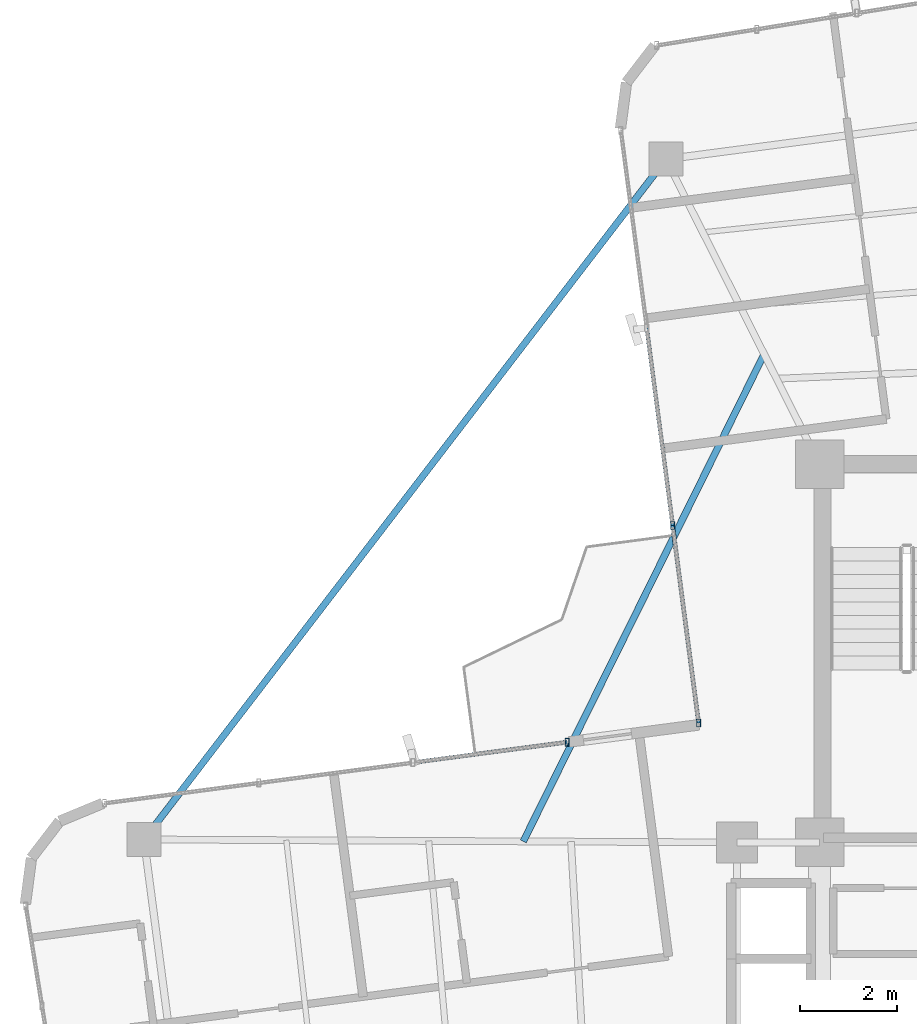
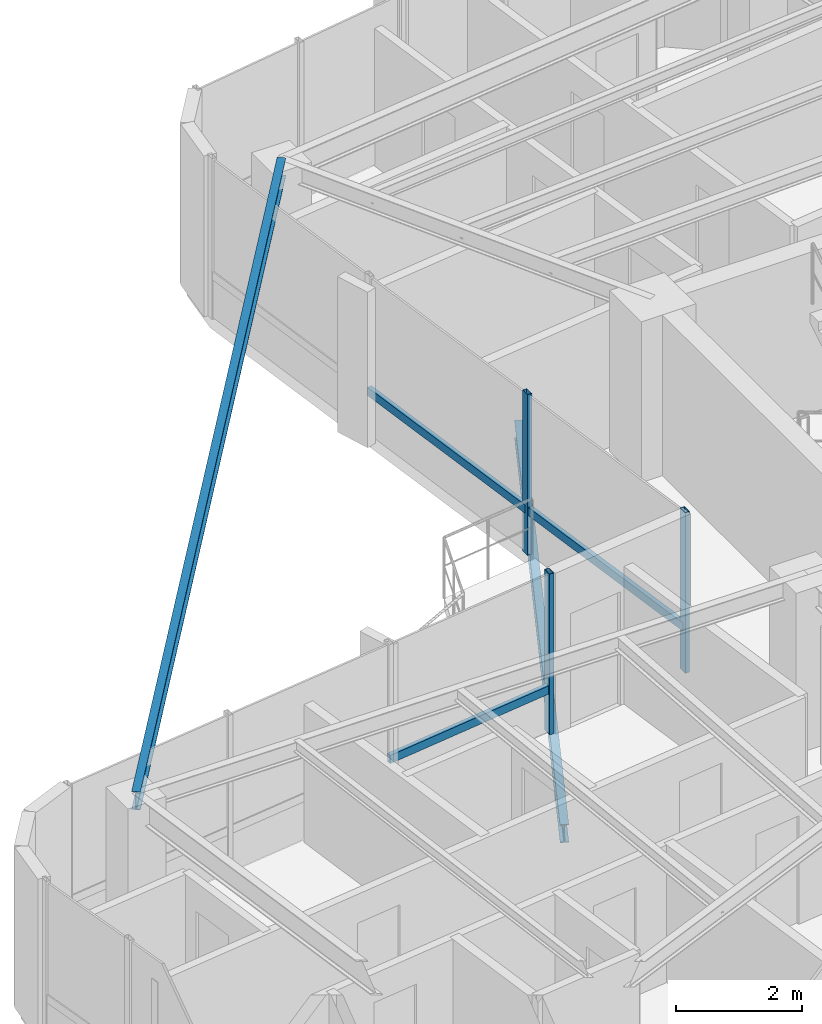
# One storey, part 9 of 23: 6 members, 2 beams, 2 elements without a shape of their own.
"""IFC4 building model written with IfcOpenShell, lengths in metres."""

from ifc_helpers import new_model, si_unit, direction, frame, origin, origin_2d, place, context, subcontext, project, spatial, hollow_rectangle, i_section, extrude, source, transform, mapped, material, material_profile, profile_set, type_object, element, aggregate, save


model = new_model("IFC4")

# Units and contexts
model_context = context("Model", 3, precision=1e-05, world=origin(), true_north=direction((0.0, 1.0)))
body_context = subcontext(model_context, "Body", "Model", "MODEL_VIEW")
ifc_project = project(units=[si_unit("LENGTHUNIT", "METRE"), si_unit("AREAUNIT", "SQUARE_METRE"), si_unit("VOLUMEUNIT", "CUBIC_METRE"), si_unit("PLANEANGLEUNIT", "RADIAN"), si_unit("MASSUNIT", "GRAM", prefix="KILO")], contexts=[model_context])

# Site, building, storey
site_placement = place(None, origin())
site = spatial("IfcSite", under=ifc_project, at=site_placement, CompositionType="ELEMENT")
building_placement = place(site_placement, origin())
building = spatial("IfcBuilding", under=site, at=building_placement, Name="Sahyath Konkavel Grand Hotel", CompositionType="ELEMENT")
storey_placement = place(building_placement, frame((0.0, 0.0, 254.550048828125)))
storey = spatial("IfcBuildingStorey", under=building, at=storey_placement, Name="L71", CompositionType="ELEMENT", Elevation=254.550048828125)

# Beam
ifc_material_1 = material(Name="Steel E350", Category="steel")
ifc_material_profile_1 = material_profile(ifc_material_1, i_section(OverallWidth=0.139892578125, OverallDepth=0.35009765625, WebThickness=0.008056640625, FlangeThickness=0.01416015625, FilletRadius=0.013916015625, at=origin_2d()), Name="ISMB 350")
ifc_profile_set_1 = profile_set([ifc_material_profile_1], Name="Steel E350")
beam_type_1 = type_object("IfcBeamType", Name="BM-ISMB350", PredefinedType="BEAM", material=ifc_profile_set_1)
shared_shape_1 = source(origin(), body_context, "Body", "SweptSolid", [
    extrude(i_section(OverallWidth=0.139892578125, OverallDepth=0.35009765625, WebThickness=0.008056640625, FlangeThickness=0.01416015625, FilletRadius=0.013916015625, at=origin_2d()), origin(), (0.0, 0.0, 1.0), 17.676025390625),
])
beam_1_placement = place(storey_placement, frame((-6.96533203125, 16.48486328125, 2.93505859375), z_axis=(-0.608759149705, -0.793355089258, 0.0), x_axis=(0.793355089258, -0.608759149705, 0.0)))
element("IfcBeam", 1, at=beam_1_placement, inside=storey, type_object=beam_type_1, Name="L71 Re-Entrant Tie Beam NW", PredefinedType="BEAM", context=body_context, shape_type="MappedRepresentation", body=[
    mapped(shared_shape_1, transform((0.0, 0.0, 0.0), scale=1.0)),
])

# Curtain wall, members
ifc_material_2 = material(Name="Anodised Bronze Aluminium & Low-E Glazing", Category="aluminium")
curtain_wall_type = type_object("IfcCurtainWallType", Name="CW-ZONE4", PredefinedType="NOTDEFINED", material=ifc_material_2)
curtain_wall_1_placement = place(storey_placement, origin())
curtain_wall_1 = element("IfcCurtainWall", 2, at=curtain_wall_1_placement, inside=storey, type_object=curtain_wall_type, Name="L71 Unitised Curtain Wall F15", PredefinedType="NOTDEFINED")
ifc_material_3 = material(Name="Anodised Bronze Aluminium", Category="aluminium")
ifc_material_profile_2 = material_profile(ifc_material_3, hollow_rectangle(XDim=0.080078125, YDim=0.159912109375, WallThickness=0.006103515625, at=origin_2d()), Name="RHS 160x80x6")
ifc_profile_set_2 = profile_set([ifc_material_profile_2], Name="Anodised Bronze Aluminium")
member_type_1 = type_object("IfcMemberType", Name="CW-MUL-160", PredefinedType="MULLION", material=ifc_profile_set_2)
shared_shape_2 = source(origin(), body_context, "Body", "SweptSolid", [
    extrude(hollow_rectangle(XDim=0.080078125, YDim=0.159912109375, WallThickness=0.006103515625, at=origin_2d()), origin(), (0.0, 0.0, 1.0), 3.10986328125),
])
member_1_placement = place(storey_placement, frame((-6.82861328125, 8.935546875, 0.0), z_axis=(0.0, 0.0, 1.0), x_axis=(1.0, 0.0, 0.0)))
member_1 = element("IfcMember", 3, at=member_1_placement, type_object=member_type_1, Name="L71 Curtain Wall Mullion F15-2", PredefinedType="MULLION", context=body_context, shape_type="MappedRepresentation", body=[
    mapped(shared_shape_2, transform((0.0, 0.0, 0.0), scale=1.0)),
])
member_2_placement = place(storey_placement, frame((-6.292724609375, 4.8642578125, 0.0), z_axis=(0.0, 0.0, 1.0), x_axis=(1.0, 0.0, 0.0)))
member_2 = element("IfcMember", 4, at=member_2_placement, type_object=member_type_1, Name="L71 Curtain Wall Mullion F15-3", PredefinedType="MULLION", context=body_context, shape_type="MappedRepresentation", body=[
    mapped(shared_shape_2, transform((0.0, 0.0, 0.0), scale=1.0)),
])

curtain_wall_2_placement = place(storey_placement, origin())
curtain_wall_2 = element("IfcCurtainWall", 5, at=curtain_wall_2_placement, inside=storey, type_object=curtain_wall_type, Name="L71 Unitised Curtain Wall F16", PredefinedType="NOTDEFINED")
member_3_placement = place(storey_placement, frame((-9.004150390625, 4.467041015625, 0.0), z_axis=(0.0, 0.0, 1.0), x_axis=(1.0, 0.0, 0.0)))
member_3 = element("IfcMember", 6, at=member_3_placement, type_object=member_type_1, Name="L71 Curtain Wall Mullion F16-0", PredefinedType="MULLION", context=body_context, shape_type="MappedRepresentation", body=[
    mapped(shared_shape_2, transform((0.0, 0.0, 0.0), scale=1.0)),
])
ifc_material_profile_3 = material_profile(ifc_material_3, hollow_rectangle(XDim=0.080078125, YDim=0.159912109375, WallThickness=0.006103515625, at=origin_2d()), Name="RHS 160x80x6")
ifc_profile_set_3 = profile_set([ifc_material_profile_3], Name="Anodised Bronze Aluminium")
member_type_2 = type_object("IfcMemberType", Name="CW-TRN-160", PredefinedType="USERDEFINED", material=ifc_profile_set_3)
shared_shape_3 = source(origin(), body_context, "Body", "SweptSolid", [
    extrude(hollow_rectangle(XDim=0.080078125, YDim=0.159912109375, WallThickness=0.006103515625, at=origin_2d()), origin(), (0.0, 0.0, 1.0), 3.206298828125),
])
member_4_placement = place(storey_placement, frame((-9.004150390625, 4.467041015625, 0.849853515625), z_axis=(-0.991447296707, -0.130507692693, 0.0), x_axis=(0.130507692693, -0.991447296707, 0.0)))
member_4 = element("IfcMember", 7, at=member_4_placement, type_object=member_type_2, Name="L71 Curtain Wall Transom F16-0-spandrel", ObjectType="TRANSOM", PredefinedType="USERDEFINED", context=body_context, shape_type="MappedRepresentation", body=[
    mapped(shared_shape_3, transform((0.0, 0.0, 0.0), scale=1.0)),
])
aggregate(curtain_wall_2, [member_3, member_4])

# Member
shared_shape_4 = source(origin(), body_context, "Body", "SweptSolid", [
    extrude(hollow_rectangle(XDim=0.080078125, YDim=0.159912109375, WallThickness=0.006103515625, at=origin_2d()), origin(), (0.0, 0.0, 1.0), 4.1064453125),
])
member_5_placement = place(storey_placement, frame((-6.82861328125, 8.935546875, 0.849853515625), z_axis=(0.13050065069, -0.991448223645, 0.0), x_axis=(0.991448223645, 0.13050065069, 0.0)))
member_5 = element("IfcMember", 8, at=member_5_placement, type_object=member_type_2, Name="L71 Curtain Wall Transom F15-2-spandrel", ObjectType="TRANSOM", PredefinedType="USERDEFINED", context=body_context, shape_type="MappedRepresentation", body=[
    mapped(shared_shape_4, transform((0.0, 0.0, 0.0), scale=1.0)),
])

shared_shape_5 = source(origin(), body_context, "Body", "SweptSolid", [
    extrude(hollow_rectangle(XDim=0.080078125, YDim=0.159912109375, WallThickness=0.006103515625, at=origin_2d()), origin(), (0.0, 0.0, 1.0), 4.106201171875),
])
member_6_placement = place(storey_placement, frame((-7.36474609375, 13.006591796875, 0.849853515625), z_axis=(0.130566787247, -0.991439516092, 0.0), x_axis=(0.991439516092, 0.130566787247, 0.0)))
member_6 = element("IfcMember", 9, at=member_6_placement, type_object=member_type_2, Name="L71 Curtain Wall Transom F15-1-spandrel", ObjectType="TRANSOM", PredefinedType="USERDEFINED", context=body_context, shape_type="MappedRepresentation", body=[
    mapped(shared_shape_5, transform((0.0, 0.0, 0.0), scale=1.0)),
])

aggregate(curtain_wall_1, [member_1, member_2, member_6, member_5])

# Beam
ifc_material_profile_4 = material_profile(ifc_material_1, i_section(OverallWidth=0.139892578125, OverallDepth=0.35009765625, WebThickness=0.008056640625, FlangeThickness=0.01416015625, FilletRadius=0.013916015625, at=origin_2d()), Name="ISMB 350")
ifc_profile_set_4 = profile_set([ifc_material_profile_4], Name="Steel E350")
beam_type_2 = type_object("IfcBeamType", Name="BM-BALC-CANT", PredefinedType="BEAM", material=ifc_profile_set_4)
shared_shape_6 = source(origin(), body_context, "Body", "SweptSolid", [
    extrude(i_section(OverallWidth=0.139892578125, OverallDepth=0.35009765625, WebThickness=0.008056640625, FlangeThickness=0.01416015625, FilletRadius=0.013916015625, at=origin_2d()), origin(), (0.0, 0.0, 1.0), 11.20458984375),
])
beam_2_placement = place(storey_placement, frame((-4.941650390625, 12.46728515625, -0.4150390625), z_axis=(-0.443112468043, -0.896466028729, 0.0), x_axis=(0.896466028729, -0.443112468043, 0.0)))
element("IfcBeam", 10, at=beam_2_placement, inside=storey, type_object=beam_type_2, Name="L71 Balcony Cantilever Support Beam NW", PredefinedType="BEAM", context=body_context, shape_type="MappedRepresentation", body=[
    mapped(shared_shape_6, transform((0.0, 0.0, 0.0), scale=1.0)),
])

save(model, "model.ifc")
